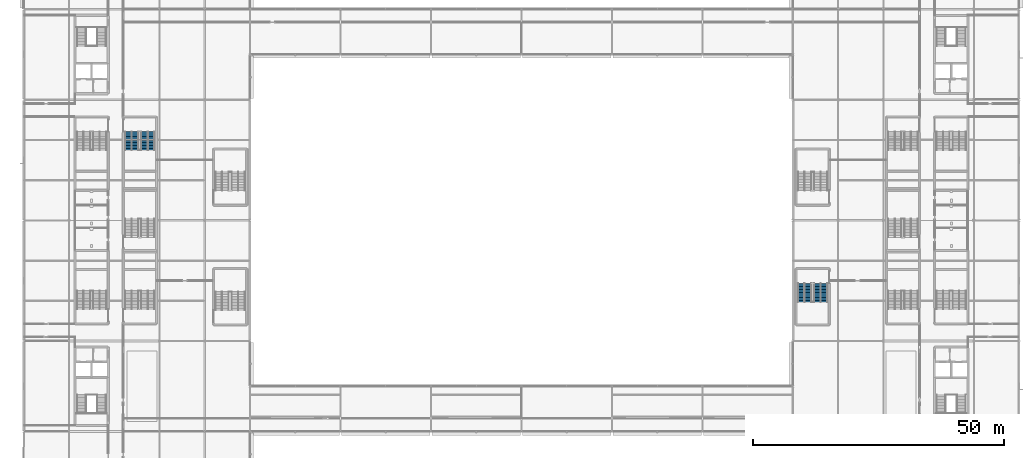
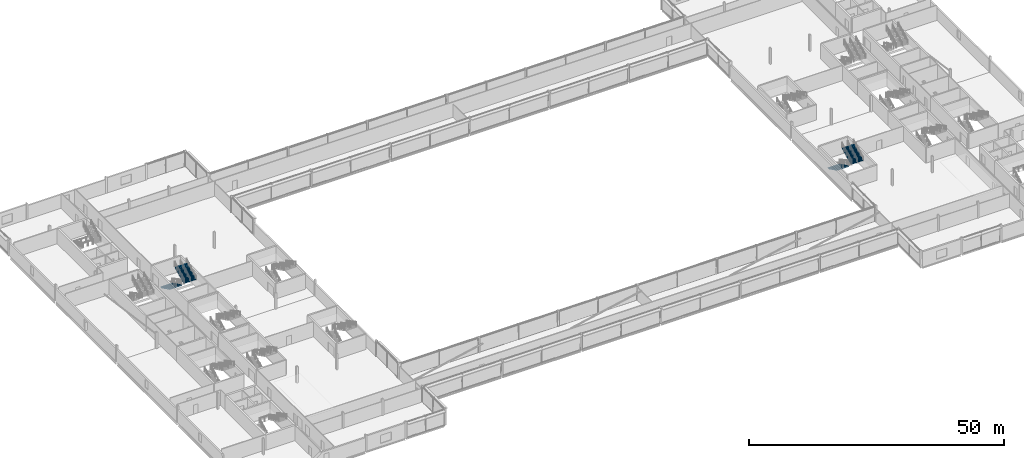
# One storey, part 85 of 98: 4 stair flights, 2 elements without a shape of their own.
"""IFC4 building model written with IfcOpenShell, lengths in metres."""

from ifc_helpers import new_model, si_unit, direction, frame, origin, place, context, subcontext, project, spatial, polygons, material, type_object, element, aggregate, save


model = new_model("IFC4")

# Units and contexts
model_context = context("Model", 3, precision=1e-05, world=origin(), true_north=direction((0.0, 1.0)))
body_context = subcontext(model_context, "Body", "Model", "MODEL_VIEW")
ifc_project = project(units=[si_unit("LENGTHUNIT", "METRE"), si_unit("AREAUNIT", "SQUARE_METRE"), si_unit("VOLUMEUNIT", "CUBIC_METRE"), si_unit("PLANEANGLEUNIT", "RADIAN"), si_unit("MASSUNIT", "GRAM", prefix="KILO")], contexts=[model_context])

# Site, building, storey
site_placement = place(None, origin())
site = spatial("IfcSite", under=ifc_project, at=site_placement, CompositionType="ELEMENT")
building_placement = place(site_placement, origin())
building = spatial("IfcBuilding", under=site, at=building_placement, Name="Kisiwana Market Hall", CompositionType="ELEMENT")
storey_placement = place(building_placement, frame((0.0, 0.0, 29.39990234375)))
storey = spatial("IfcBuildingStorey", under=building, at=storey_placement, Name="L06", CompositionType="ELEMENT", Elevation=29.39990234375)

# Stair, stair flights
ifc_material_1 = material(Name="Concrete C32/40", Category="concrete")
stair_type = type_object("IfcStairType", Name="ST-ESC-3900", PredefinedType="TWO_STRAIGHT_RUN_STAIR", material=ifc_material_1)
stair_1_placement = place(storey_placement, origin())
stair_1 = element("IfcStair", 1, at=stair_1_placement, inside=storey, type_object=stair_type, Name="Escape stair ST-W8-L06", PredefinedType="TWO_STRAIGHT_RUN_STAIR")
ifc_material_2 = material(Name="Concrete C32/40", Category="concrete")
stair_flight_type = type_object("IfcStairFlightType", Name="SF-ESC-3900", PredefinedType="STRAIGHT", material=ifc_material_2)
stair_flight_1_placement = place(storey_placement, frame((21.489990234375, 77.639892578125, 0.0), z_axis=(0.0, 0.0, 1.0), x_axis=(0.0, -1.0, 0.0)))
stair_flight_1 = element("IfcStairFlight", 2, at=stair_flight_1_placement, type_object=stair_flight_type, Name="ST-W8-L06 flight 1", NumberOfRisers=13, NumberOfTreads=12, PredefinedType="STRAIGHT", RiserHeight=0.15, TreadLength=0.305, context=body_context, shape_type="Tessellation", body=[
    polygons([(0.0, -1.380127, 0.0), (0.0, -0.690125, 0.0), (0.0, -0.000122, 0.0), (0.0, 0.68988, 0.0), (0.0, 1.379883, 0.0), (0.0, -1.380127, 0.149902), (0.0, -0.690125, 0.149902), (0.0, -0.000122, 0.149902), (0.0, 0.68988, 0.149902), (0.0, 1.379883, 0.149902), (0.304932, -1.380127, 0.149902), (0.304932, -0.690125, 0.149902), (0.304932, -0.000122, 0.149902), (0.304932, 0.68988, 0.149902), (0.304932, 1.379883, 0.149902), (0.304932, -1.380127, 0.300049), (0.304932, -0.690125, 0.300049), (0.304932, -0.000122, 0.300049), (0.304932, 0.68988, 0.300049), (0.304932, 1.379883, 0.300049), (0.610107, -1.380127, 0.300049), (0.610107, -0.690125, 0.300049), (0.610107, -0.000122, 0.300049), (0.610107, 0.68988, 0.300049), (0.610107, 1.379883, 0.300049), (0.610107, -1.380127, 0.449951), (0.610107, -0.690125, 0.449951), (0.610107, -0.000122, 0.449951), (0.610107, 0.68988, 0.449951), (0.610107, 1.379883, 0.449951), (0.915039, -1.380127, 0.449951), (0.915039, -0.690125, 0.449951), (0.915039, -0.000122, 0.449951), (0.915039, 0.68988, 0.449951), (0.915039, 1.379883, 0.449951), (0.915039, -1.380127, 0.600098), (0.915039, -0.690125, 0.600098), (0.915039, -0.000122, 0.600098), (0.915039, 0.68988, 0.600098), (0.915039, 1.379883, 0.600098), (1.219971, -1.380127, 0.600098), (1.219971, -0.690125, 0.600098), (1.219971, -0.000122, 0.600098), (1.219971, 0.68988, 0.600098), (1.219971, 1.379883, 0.600098), (1.219971, -1.380127, 0.75), (1.219971, -0.690125, 0.75), (1.219971, -0.000122, 0.75), (1.219971, 0.68988, 0.75), (1.219971, 1.379883, 0.75), (1.524902, -1.380127, 0.75), (1.524902, -0.690125, 0.75), (1.524902, -0.000122, 0.75), (1.524902, 0.68988, 0.75), (1.524902, 1.379883, 0.75), (1.524902, -1.380127, 0.899902), (1.524902, -0.690125, 0.899902), (1.524902, -0.000122, 0.899902), (1.524902, 0.68988, 0.899902), (1.524902, 1.379883, 0.899902), (1.830078, -1.380127, 0.899902), (1.830078, -0.690125, 0.899902), (1.830078, -0.000122, 0.899902), (1.830078, 0.68988, 0.899902), (1.830078, 1.379883, 0.899902), (1.830078, -1.380127, 1.050049), (1.830078, -0.690125, 1.050049), (1.830078, -0.000122, 1.050049), (1.830078, 0.68988, 1.050049), (1.830078, 1.379883, 1.050049), (2.13501, -1.380127, 1.050049), (2.13501, -0.690125, 1.050049), (2.13501, -0.000122, 1.050049), (2.13501, 0.68988, 1.050049), (2.13501, 1.379883, 1.050049), (2.13501, -1.380127, 1.199951), (2.13501, -0.690125, 1.199951), (2.13501, -0.000122, 1.199951), (2.13501, 0.68988, 1.199951), (2.13501, 1.379883, 1.199951), (2.439941, -1.380127, 1.199951), (2.439941, -0.690125, 1.199951), (2.439941, -0.000122, 1.199951), (2.439941, 0.68988, 1.199951), (2.439941, 1.379883, 1.199951), (2.439941, -1.380127, 1.350098), (2.439941, -0.690125, 1.350098), (2.439941, -0.000122, 1.350098), (2.439941, 0.68988, 1.350098), (2.439941, 1.379883, 1.350098), (2.745117, -1.380127, 1.350098), (2.745117, -0.690125, 1.350098), (2.745117, -0.000122, 1.350098), (2.745117, 0.68988, 1.350098), (2.745117, 1.379883, 1.350098), (2.745117, -1.380127, 1.5), (2.745117, -0.690125, 1.5), (2.745117, -0.000122, 1.5), (2.745117, 0.68988, 1.5), (2.745117, 1.379883, 1.5), (3.050049, -1.380127, 1.5), (3.050049, -0.690125, 1.5), (3.050049, -0.000122, 1.5), (3.050049, 0.68988, 1.5), (3.050049, 1.379883, 1.5), (3.050049, -1.380127, 1.649902), (3.050049, -0.690125, 1.649902), (3.050049, -0.000122, 1.649902), (3.050049, 0.68988, 1.649902), (3.050049, 1.379883, 1.649902), (3.35498, -1.380127, 1.649902), (3.35498, -0.690125, 1.649902), (3.35498, -0.000122, 1.649902), (3.35498, 0.68988, 1.649902), (3.35498, 1.379883, 1.649902), (3.35498, -1.380127, 1.800049), (3.35498, -0.690125, 1.800049), (3.35498, -0.000122, 1.800049), (3.35498, 0.68988, 1.800049), (3.35498, 1.379883, 1.800049), (3.659912, -1.380127, 1.800049), (3.659912, -0.690125, 1.800049), (3.659912, -0.000122, 1.800049), (3.659912, 0.68988, 1.800049), (3.659912, 1.379883, 1.800049), (3.659912, -1.380127, 1.599365), (3.659912, -0.690125, 1.599365), (3.659912, -0.000122, 1.599365), (3.659912, 0.68988, 1.599365), (3.659912, 1.379883, 1.599365), (0.407715, -1.380127, 0.0), (0.407715, -0.690125, 0.0), (0.407715, -0.000122, 0.0), (0.407715, 0.68988, 0.0), (0.407715, 1.379883, 0.0)], [[[1, 6, 7, 2]], [[2, 7, 8, 3]], [[3, 8, 9, 4]], [[4, 9, 10, 5]], [[6, 11, 12, 7]], [[7, 12, 13, 8]], [[8, 13, 14, 9]], [[9, 14, 15, 10]], [[11, 16, 17, 12]], [[12, 17, 18, 13]], [[13, 18, 19, 14]], [[14, 19, 20, 15]], [[16, 21, 22, 17]], [[17, 22, 23, 18]], [[18, 23, 24, 19]], [[19, 24, 25, 20]], [[21, 26, 27, 22]], [[22, 27, 28, 23]], [[23, 28, 29, 24]], [[24, 29, 30, 25]], [[26, 31, 32, 27]], [[27, 32, 33, 28]], [[28, 33, 34, 29]], [[29, 34, 35, 30]], [[31, 36, 37, 32]], [[32, 37, 38, 33]], [[33, 38, 39, 34]], [[34, 39, 40, 35]], [[36, 41, 42, 37]], [[37, 42, 43, 38]], [[38, 43, 44, 39]], [[39, 44, 45, 40]], [[41, 46, 47, 42]], [[42, 47, 48, 43]], [[43, 48, 49, 44]], [[44, 49, 50, 45]], [[46, 51, 52, 47]], [[47, 52, 53, 48]], [[48, 53, 54, 49]], [[49, 54, 55, 50]], [[51, 56, 57, 52]], [[52, 57, 58, 53]], [[53, 58, 59, 54]], [[54, 59, 60, 55]], [[56, 61, 62, 57]], [[57, 62, 63, 58]], [[58, 63, 64, 59]], [[59, 64, 65, 60]], [[61, 66, 67, 62]], [[62, 67, 68, 63]], [[63, 68, 69, 64]], [[64, 69, 70, 65]], [[66, 71, 72, 67]], [[67, 72, 73, 68]], [[68, 73, 74, 69]], [[69, 74, 75, 70]], [[71, 76, 77, 72]], [[72, 77, 78, 73]], [[73, 78, 79, 74]], [[74, 79, 80, 75]], [[76, 81, 82, 77]], [[77, 82, 83, 78]], [[78, 83, 84, 79]], [[79, 84, 85, 80]], [[81, 86, 87, 82]], [[82, 87, 88, 83]], [[83, 88, 89, 84]], [[84, 89, 90, 85]], [[86, 91, 92, 87]], [[87, 92, 93, 88]], [[88, 93, 94, 89]], [[89, 94, 95, 90]], [[91, 96, 97, 92]], [[92, 97, 98, 93]], [[93, 98, 99, 94]], [[94, 99, 100, 95]], [[96, 101, 102, 97]], [[97, 102, 103, 98]], [[98, 103, 104, 99]], [[99, 104, 105, 100]], [[101, 106, 107, 102]], [[102, 107, 108, 103]], [[103, 108, 109, 104]], [[104, 109, 110, 105]], [[106, 111, 112, 107]], [[107, 112, 113, 108]], [[108, 113, 114, 109]], [[109, 114, 115, 110]], [[111, 116, 117, 112]], [[112, 117, 118, 113]], [[113, 118, 119, 114]], [[114, 119, 120, 115]], [[116, 121, 122, 117]], [[117, 122, 123, 118]], [[118, 123, 124, 119]], [[119, 124, 125, 120]], [[121, 126, 127, 122]], [[122, 127, 128, 123]], [[123, 128, 129, 124]], [[124, 129, 130, 125]], [[126, 131, 132, 127]], [[127, 132, 133, 128]], [[128, 133, 134, 129]], [[129, 134, 135, 130]], [[131, 1, 2, 132]], [[132, 2, 3, 133]], [[133, 3, 4, 134]], [[134, 4, 5, 135]], [[131, 126, 121, 116, 111, 106, 101, 96, 91, 86, 81, 76, 71, 66, 61, 56, 51, 46, 41, 36, 31, 26, 21, 16, 11, 6, 1]], [[5, 10, 15, 20, 25, 30, 35, 40, 45, 50, 55, 60, 65, 70, 75, 80, 85, 90, 95, 100, 105, 110, 115, 120, 125, 130, 135]]], closed=True),
])
stair_flight_2_placement = place(storey_placement, frame((24.7099609375, 73.97998046875, 1.9501953125), z_axis=(0.0, 0.0, 1.0), x_axis=(0.0, 1.0, 0.0)))
stair_flight_2 = element("IfcStairFlight", 3, at=stair_flight_2_placement, type_object=stair_flight_type, Name="ST-W8-L06 flight 2", NumberOfRisers=13, NumberOfTreads=12, PredefinedType="STRAIGHT", RiserHeight=0.15, TreadLength=0.305, context=body_context, shape_type="Tessellation", body=[
    polygons([(0.0, -1.380127, 0.0), (0.0, -0.690125, 0.0), (0.0, -0.000122, 0.0), (0.0, 0.68988, 0.0), (0.0, 1.379883, 0.0), (0.0, -1.380127, 0.149902), (0.0, -0.690125, 0.149902), (0.0, -0.000122, 0.149902), (0.0, 0.68988, 0.149902), (0.0, 1.379883, 0.149902), (0.304932, -1.380127, 0.149902), (0.304932, -0.690125, 0.149902), (0.304932, -0.000122, 0.149902), (0.304932, 0.68988, 0.149902), (0.304932, 1.379883, 0.149902), (0.304932, -1.380127, 0.300049), (0.304932, -0.690125, 0.300049), (0.304932, -0.000122, 0.300049), (0.304932, 0.68988, 0.300049), (0.304932, 1.379883, 0.300049), (0.610107, -1.380127, 0.300049), (0.610107, -0.690125, 0.300049), (0.610107, -0.000122, 0.300049), (0.610107, 0.68988, 0.300049), (0.610107, 1.379883, 0.300049), (0.610107, -1.380127, 0.449951), (0.610107, -0.690125, 0.449951), (0.610107, -0.000122, 0.449951), (0.610107, 0.68988, 0.449951), (0.610107, 1.379883, 0.449951), (0.915039, -1.380127, 0.449951), (0.915039, -0.690125, 0.449951), (0.915039, -0.000122, 0.449951), (0.915039, 0.68988, 0.449951), (0.915039, 1.379883, 0.449951), (0.915039, -1.380127, 0.600098), (0.915039, -0.690125, 0.600098), (0.915039, -0.000122, 0.600098), (0.915039, 0.68988, 0.600098), (0.915039, 1.379883, 0.600098), (1.219971, -1.380127, 0.600098), (1.219971, -0.690125, 0.600098), (1.219971, -0.000122, 0.600098), (1.219971, 0.68988, 0.600098), (1.219971, 1.379883, 0.600098), (1.219971, -1.380127, 0.75), (1.219971, -0.690125, 0.75), (1.219971, -0.000122, 0.75), (1.219971, 0.68988, 0.75), (1.219971, 1.379883, 0.75), (1.524902, -1.380127, 0.75), (1.524902, -0.690125, 0.75), (1.524902, -0.000122, 0.75), (1.524902, 0.68988, 0.75), (1.524902, 1.379883, 0.75), (1.524902, -1.380127, 0.899902), (1.524902, -0.690125, 0.899902), (1.524902, -0.000122, 0.899902), (1.524902, 0.68988, 0.899902), (1.524902, 1.379883, 0.899902), (1.830078, -1.380127, 0.899902), (1.830078, -0.690125, 0.899902), (1.830078, -0.000122, 0.899902), (1.830078, 0.68988, 0.899902), (1.830078, 1.379883, 0.899902), (1.830078, -1.380127, 1.050049), (1.830078, -0.690125, 1.050049), (1.830078, -0.000122, 1.050049), (1.830078, 0.68988, 1.050049), (1.830078, 1.379883, 1.050049), (2.13501, -1.380127, 1.050049), (2.13501, -0.690125, 1.050049), (2.13501, -0.000122, 1.050049), (2.13501, 0.68988, 1.050049), (2.13501, 1.379883, 1.050049), (2.13501, -1.380127, 1.199951), (2.13501, -0.690125, 1.199951), (2.13501, -0.000122, 1.199951), (2.13501, 0.68988, 1.199951), (2.13501, 1.379883, 1.199951), (2.439941, -1.380127, 1.199951), (2.439941, -0.690125, 1.199951), (2.439941, -0.000122, 1.199951), (2.439941, 0.68988, 1.199951), (2.439941, 1.379883, 1.199951), (2.439941, -1.380127, 1.350098), (2.439941, -0.690125, 1.350098), (2.439941, -0.000122, 1.350098), (2.439941, 0.68988, 1.350098), (2.439941, 1.379883, 1.350098), (2.745117, -1.380127, 1.350098), (2.745117, -0.690125, 1.350098), (2.745117, -0.000122, 1.350098), (2.745117, 0.68988, 1.350098), (2.745117, 1.379883, 1.350098), (2.745117, -1.380127, 1.5), (2.745117, -0.690125, 1.5), (2.745117, -0.000122, 1.5), (2.745117, 0.68988, 1.5), (2.745117, 1.379883, 1.5), (3.050049, -1.380127, 1.5), (3.050049, -0.690125, 1.5), (3.050049, -0.000122, 1.5), (3.050049, 0.68988, 1.5), (3.050049, 1.379883, 1.5), (3.050049, -1.380127, 1.649902), (3.050049, -0.690125, 1.649902), (3.050049, -0.000122, 1.649902), (3.050049, 0.68988, 1.649902), (3.050049, 1.379883, 1.649902), (3.35498, -1.380127, 1.649902), (3.35498, -0.690125, 1.649902), (3.35498, -0.000122, 1.649902), (3.35498, 0.68988, 1.649902), (3.35498, 1.379883, 1.649902), (3.35498, -1.380127, 1.800049), (3.35498, -0.690125, 1.800049), (3.35498, -0.000122, 1.800049), (3.35498, 0.68988, 1.800049), (3.35498, 1.379883, 1.800049), (3.659912, -1.380127, 1.800049), (3.659912, -0.690125, 1.800049), (3.659912, -0.000122, 1.800049), (3.659912, 0.68988, 1.800049), (3.659912, 1.379883, 1.800049), (3.659912, -1.380127, 1.599365), (3.659912, -0.690125, 1.599365), (3.659912, -0.000122, 1.599365), (3.659912, 0.68988, 1.599365), (3.659912, 1.379883, 1.599365), (0.407715, -1.380127, 0.0), (0.407715, -0.690125, 0.0), (0.407715, -0.000122, 0.0), (0.407715, 0.68988, 0.0), (0.407715, 1.379883, 0.0)], [[[1, 6, 7, 2]], [[2, 7, 8, 3]], [[3, 8, 9, 4]], [[4, 9, 10, 5]], [[6, 11, 12, 7]], [[7, 12, 13, 8]], [[8, 13, 14, 9]], [[9, 14, 15, 10]], [[11, 16, 17, 12]], [[12, 17, 18, 13]], [[13, 18, 19, 14]], [[14, 19, 20, 15]], [[16, 21, 22, 17]], [[17, 22, 23, 18]], [[18, 23, 24, 19]], [[19, 24, 25, 20]], [[21, 26, 27, 22]], [[22, 27, 28, 23]], [[23, 28, 29, 24]], [[24, 29, 30, 25]], [[26, 31, 32, 27]], [[27, 32, 33, 28]], [[28, 33, 34, 29]], [[29, 34, 35, 30]], [[31, 36, 37, 32]], [[32, 37, 38, 33]], [[33, 38, 39, 34]], [[34, 39, 40, 35]], [[36, 41, 42, 37]], [[37, 42, 43, 38]], [[38, 43, 44, 39]], [[39, 44, 45, 40]], [[41, 46, 47, 42]], [[42, 47, 48, 43]], [[43, 48, 49, 44]], [[44, 49, 50, 45]], [[46, 51, 52, 47]], [[47, 52, 53, 48]], [[48, 53, 54, 49]], [[49, 54, 55, 50]], [[51, 56, 57, 52]], [[52, 57, 58, 53]], [[53, 58, 59, 54]], [[54, 59, 60, 55]], [[56, 61, 62, 57]], [[57, 62, 63, 58]], [[58, 63, 64, 59]], [[59, 64, 65, 60]], [[61, 66, 67, 62]], [[62, 67, 68, 63]], [[63, 68, 69, 64]], [[64, 69, 70, 65]], [[66, 71, 72, 67]], [[67, 72, 73, 68]], [[68, 73, 74, 69]], [[69, 74, 75, 70]], [[71, 76, 77, 72]], [[72, 77, 78, 73]], [[73, 78, 79, 74]], [[74, 79, 80, 75]], [[76, 81, 82, 77]], [[77, 82, 83, 78]], [[78, 83, 84, 79]], [[79, 84, 85, 80]], [[81, 86, 87, 82]], [[82, 87, 88, 83]], [[83, 88, 89, 84]], [[84, 89, 90, 85]], [[86, 91, 92, 87]], [[87, 92, 93, 88]], [[88, 93, 94, 89]], [[89, 94, 95, 90]], [[91, 96, 97, 92]], [[92, 97, 98, 93]], [[93, 98, 99, 94]], [[94, 99, 100, 95]], [[96, 101, 102, 97]], [[97, 102, 103, 98]], [[98, 103, 104, 99]], [[99, 104, 105, 100]], [[101, 106, 107, 102]], [[102, 107, 108, 103]], [[103, 108, 109, 104]], [[104, 109, 110, 105]], [[106, 111, 112, 107]], [[107, 112, 113, 108]], [[108, 113, 114, 109]], [[109, 114, 115, 110]], [[111, 116, 117, 112]], [[112, 117, 118, 113]], [[113, 118, 119, 114]], [[114, 119, 120, 115]], [[116, 121, 122, 117]], [[117, 122, 123, 118]], [[118, 123, 124, 119]], [[119, 124, 125, 120]], [[121, 126, 127, 122]], [[122, 127, 128, 123]], [[123, 128, 129, 124]], [[124, 129, 130, 125]], [[126, 131, 132, 127]], [[127, 132, 133, 128]], [[128, 133, 134, 129]], [[129, 134, 135, 130]], [[131, 1, 2, 132]], [[132, 2, 3, 133]], [[133, 3, 4, 134]], [[134, 4, 5, 135]], [[131, 126, 121, 116, 111, 106, 101, 96, 91, 86, 81, 76, 71, 66, 61, 56, 51, 46, 41, 36, 31, 26, 21, 16, 11, 6, 1]], [[5, 10, 15, 20, 25, 30, 35, 40, 45, 50, 55, 60, 65, 70, 75, 80, 85, 90, 95, 100, 105, 110, 115, 120, 125, 130, 135]]], closed=True),
])
aggregate(stair_1, [stair_flight_1, stair_flight_2])

stair_2_placement = place(storey_placement, origin())
stair_2 = element("IfcStair", 4, at=stair_2_placement, inside=storey, type_object=stair_type, Name="Escape stair ST-E9-L06", PredefinedType="TWO_STRAIGHT_RUN_STAIR")
stair_flight_3_placement = place(storey_placement, frame((155.320068359375, 47.43994140625, 0.0), z_axis=(0.0, 0.0, 1.0), x_axis=(0.0, -1.0, 0.0)))
stair_flight_3 = element("IfcStairFlight", 5, at=stair_flight_3_placement, type_object=stair_flight_type, Name="ST-E9-L06 flight 1", NumberOfRisers=13, NumberOfTreads=12, PredefinedType="STRAIGHT", RiserHeight=0.15, TreadLength=0.305, context=body_context, shape_type="Tessellation", body=[
    polygons([(0.0, -1.380127, 0.0), (0.0, -0.690125, 0.0), (0.0, -0.000122, 0.0), (0.0, 0.68988, 0.0), (0.0, 1.379883, 0.0), (0.0, -1.380127, 0.149902), (0.0, -0.690125, 0.149902), (0.0, -0.000122, 0.149902), (0.0, 0.68988, 0.149902), (0.0, 1.379883, 0.149902), (0.304932, -1.380127, 0.149902), (0.304932, -0.690125, 0.149902), (0.304932, -0.000122, 0.149902), (0.304932, 0.68988, 0.149902), (0.304932, 1.379883, 0.149902), (0.304932, -1.380127, 0.300049), (0.304932, -0.690125, 0.300049), (0.304932, -0.000122, 0.300049), (0.304932, 0.68988, 0.300049), (0.304932, 1.379883, 0.300049), (0.610107, -1.380127, 0.300049), (0.610107, -0.690125, 0.300049), (0.610107, -0.000122, 0.300049), (0.610107, 0.68988, 0.300049), (0.610107, 1.379883, 0.300049), (0.610107, -1.380127, 0.449951), (0.610107, -0.690125, 0.449951), (0.610107, -0.000122, 0.449951), (0.610107, 0.68988, 0.449951), (0.610107, 1.379883, 0.449951), (0.915039, -1.380127, 0.449951), (0.915039, -0.690125, 0.449951), (0.915039, -0.000122, 0.449951), (0.915039, 0.68988, 0.449951), (0.915039, 1.379883, 0.449951), (0.915039, -1.380127, 0.600098), (0.915039, -0.690125, 0.600098), (0.915039, -0.000122, 0.600098), (0.915039, 0.68988, 0.600098), (0.915039, 1.379883, 0.600098), (1.219971, -1.380127, 0.600098), (1.219971, -0.690125, 0.600098), (1.219971, -0.000122, 0.600098), (1.219971, 0.68988, 0.600098), (1.219971, 1.379883, 0.600098), (1.219971, -1.380127, 0.75), (1.219971, -0.690125, 0.75), (1.219971, -0.000122, 0.75), (1.219971, 0.68988, 0.75), (1.219971, 1.379883, 0.75), (1.524902, -1.380127, 0.75), (1.524902, -0.690125, 0.75), (1.524902, -0.000122, 0.75), (1.524902, 0.68988, 0.75), (1.524902, 1.379883, 0.75), (1.524902, -1.380127, 0.899902), (1.524902, -0.690125, 0.899902), (1.524902, -0.000122, 0.899902), (1.524902, 0.68988, 0.899902), (1.524902, 1.379883, 0.899902), (1.830078, -1.380127, 0.899902), (1.830078, -0.690125, 0.899902), (1.830078, -0.000122, 0.899902), (1.830078, 0.68988, 0.899902), (1.830078, 1.379883, 0.899902), (1.830078, -1.380127, 1.050049), (1.830078, -0.690125, 1.050049), (1.830078, -0.000122, 1.050049), (1.830078, 0.68988, 1.050049), (1.830078, 1.379883, 1.050049), (2.13501, -1.380127, 1.050049), (2.13501, -0.690125, 1.050049), (2.13501, -0.000122, 1.050049), (2.13501, 0.68988, 1.050049), (2.13501, 1.379883, 1.050049), (2.13501, -1.380127, 1.199951), (2.13501, -0.690125, 1.199951), (2.13501, -0.000122, 1.199951), (2.13501, 0.68988, 1.199951), (2.13501, 1.379883, 1.199951), (2.439941, -1.380127, 1.199951), (2.439941, -0.690125, 1.199951), (2.439941, -0.000122, 1.199951), (2.439941, 0.68988, 1.199951), (2.439941, 1.379883, 1.199951), (2.439941, -1.380127, 1.350098), (2.439941, -0.690125, 1.350098), (2.439941, -0.000122, 1.350098), (2.439941, 0.68988, 1.350098), (2.439941, 1.379883, 1.350098), (2.745117, -1.380127, 1.350098), (2.745117, -0.690125, 1.350098), (2.745117, -0.000122, 1.350098), (2.745117, 0.68988, 1.350098), (2.745117, 1.379883, 1.350098), (2.745117, -1.380127, 1.5), (2.745117, -0.690125, 1.5), (2.745117, -0.000122, 1.5), (2.745117, 0.68988, 1.5), (2.745117, 1.379883, 1.5), (3.050049, -1.380127, 1.5), (3.050049, -0.690125, 1.5), (3.050049, -0.000122, 1.5), (3.050049, 0.68988, 1.5), (3.050049, 1.379883, 1.5), (3.050049, -1.380127, 1.649902), (3.050049, -0.690125, 1.649902), (3.050049, -0.000122, 1.649902), (3.050049, 0.68988, 1.649902), (3.050049, 1.379883, 1.649902), (3.35498, -1.380127, 1.649902), (3.35498, -0.690125, 1.649902), (3.35498, -0.000122, 1.649902), (3.35498, 0.68988, 1.649902), (3.35498, 1.379883, 1.649902), (3.35498, -1.380127, 1.800049), (3.35498, -0.690125, 1.800049), (3.35498, -0.000122, 1.800049), (3.35498, 0.68988, 1.800049), (3.35498, 1.379883, 1.800049), (3.659912, -1.380127, 1.800049), (3.659912, -0.690125, 1.800049), (3.659912, -0.000122, 1.800049), (3.659912, 0.68988, 1.800049), (3.659912, 1.379883, 1.800049), (3.659912, -1.380127, 1.599365), (3.659912, -0.690125, 1.599365), (3.659912, -0.000122, 1.599365), (3.659912, 0.68988, 1.599365), (3.659912, 1.379883, 1.599365), (0.407715, -1.380127, 0.0), (0.407715, -0.690125, 0.0), (0.407715, -0.000122, 0.0), (0.407715, 0.68988, 0.0), (0.407715, 1.379883, 0.0)], [[[1, 6, 7, 2]], [[2, 7, 8, 3]], [[3, 8, 9, 4]], [[4, 9, 10, 5]], [[6, 11, 12, 7]], [[7, 12, 13, 8]], [[8, 13, 14, 9]], [[9, 14, 15, 10]], [[11, 16, 17, 12]], [[12, 17, 18, 13]], [[13, 18, 19, 14]], [[14, 19, 20, 15]], [[16, 21, 22, 17]], [[17, 22, 23, 18]], [[18, 23, 24, 19]], [[19, 24, 25, 20]], [[21, 26, 27, 22]], [[22, 27, 28, 23]], [[23, 28, 29, 24]], [[24, 29, 30, 25]], [[26, 31, 32, 27]], [[27, 32, 33, 28]], [[28, 33, 34, 29]], [[29, 34, 35, 30]], [[31, 36, 37, 32]], [[32, 37, 38, 33]], [[33, 38, 39, 34]], [[34, 39, 40, 35]], [[36, 41, 42, 37]], [[37, 42, 43, 38]], [[38, 43, 44, 39]], [[39, 44, 45, 40]], [[41, 46, 47, 42]], [[42, 47, 48, 43]], [[43, 48, 49, 44]], [[44, 49, 50, 45]], [[46, 51, 52, 47]], [[47, 52, 53, 48]], [[48, 53, 54, 49]], [[49, 54, 55, 50]], [[51, 56, 57, 52]], [[52, 57, 58, 53]], [[53, 58, 59, 54]], [[54, 59, 60, 55]], [[56, 61, 62, 57]], [[57, 62, 63, 58]], [[58, 63, 64, 59]], [[59, 64, 65, 60]], [[61, 66, 67, 62]], [[62, 67, 68, 63]], [[63, 68, 69, 64]], [[64, 69, 70, 65]], [[66, 71, 72, 67]], [[67, 72, 73, 68]], [[68, 73, 74, 69]], [[69, 74, 75, 70]], [[71, 76, 77, 72]], [[72, 77, 78, 73]], [[73, 78, 79, 74]], [[74, 79, 80, 75]], [[76, 81, 82, 77]], [[77, 82, 83, 78]], [[78, 83, 84, 79]], [[79, 84, 85, 80]], [[81, 86, 87, 82]], [[82, 87, 88, 83]], [[83, 88, 89, 84]], [[84, 89, 90, 85]], [[86, 91, 92, 87]], [[87, 92, 93, 88]], [[88, 93, 94, 89]], [[89, 94, 95, 90]], [[91, 96, 97, 92]], [[92, 97, 98, 93]], [[93, 98, 99, 94]], [[94, 99, 100, 95]], [[96, 101, 102, 97]], [[97, 102, 103, 98]], [[98, 103, 104, 99]], [[99, 104, 105, 100]], [[101, 106, 107, 102]], [[102, 107, 108, 103]], [[103, 108, 109, 104]], [[104, 109, 110, 105]], [[106, 111, 112, 107]], [[107, 112, 113, 108]], [[108, 113, 114, 109]], [[109, 114, 115, 110]], [[111, 116, 117, 112]], [[112, 117, 118, 113]], [[113, 118, 119, 114]], [[114, 119, 120, 115]], [[116, 121, 122, 117]], [[117, 122, 123, 118]], [[118, 123, 124, 119]], [[119, 124, 125, 120]], [[121, 126, 127, 122]], [[122, 127, 128, 123]], [[123, 128, 129, 124]], [[124, 129, 130, 125]], [[126, 131, 132, 127]], [[127, 132, 133, 128]], [[128, 133, 134, 129]], [[129, 134, 135, 130]], [[131, 1, 2, 132]], [[132, 2, 3, 133]], [[133, 3, 4, 134]], [[134, 4, 5, 135]], [[131, 126, 121, 116, 111, 106, 101, 96, 91, 86, 81, 76, 71, 66, 61, 56, 51, 46, 41, 36, 31, 26, 21, 16, 11, 6, 1]], [[5, 10, 15, 20, 25, 30, 35, 40, 45, 50, 55, 60, 65, 70, 75, 80, 85, 90, 95, 100, 105, 110, 115, 120, 125, 130, 135]]], closed=True),
])
stair_flight_4_placement = place(storey_placement, frame((158.5400390625, 43.780029296875, 1.9501953125), z_axis=(0.0, 0.0, 1.0), x_axis=(0.0, 1.0, 0.0)))
stair_flight_4 = element("IfcStairFlight", 6, at=stair_flight_4_placement, type_object=stair_flight_type, Name="ST-E9-L06 flight 2", NumberOfRisers=13, NumberOfTreads=12, PredefinedType="STRAIGHT", RiserHeight=0.15, TreadLength=0.305, context=body_context, shape_type="Tessellation", body=[
    polygons([(0.0, -1.380127, 0.0), (0.0, -0.690125, 0.0), (0.0, -0.000122, 0.0), (0.0, 0.68988, 0.0), (0.0, 1.379883, 0.0), (0.0, -1.380127, 0.149902), (0.0, -0.690125, 0.149902), (0.0, -0.000122, 0.149902), (0.0, 0.68988, 0.149902), (0.0, 1.379883, 0.149902), (0.304932, -1.380127, 0.149902), (0.304932, -0.690125, 0.149902), (0.304932, -0.000122, 0.149902), (0.304932, 0.68988, 0.149902), (0.304932, 1.379883, 0.149902), (0.304932, -1.380127, 0.300049), (0.304932, -0.690125, 0.300049), (0.304932, -0.000122, 0.300049), (0.304932, 0.68988, 0.300049), (0.304932, 1.379883, 0.300049), (0.610107, -1.380127, 0.300049), (0.610107, -0.690125, 0.300049), (0.610107, -0.000122, 0.300049), (0.610107, 0.68988, 0.300049), (0.610107, 1.379883, 0.300049), (0.610107, -1.380127, 0.449951), (0.610107, -0.690125, 0.449951), (0.610107, -0.000122, 0.449951), (0.610107, 0.68988, 0.449951), (0.610107, 1.379883, 0.449951), (0.915039, -1.380127, 0.449951), (0.915039, -0.690125, 0.449951), (0.915039, -0.000122, 0.449951), (0.915039, 0.68988, 0.449951), (0.915039, 1.379883, 0.449951), (0.915039, -1.380127, 0.600098), (0.915039, -0.690125, 0.600098), (0.915039, -0.000122, 0.600098), (0.915039, 0.68988, 0.600098), (0.915039, 1.379883, 0.600098), (1.219971, -1.380127, 0.600098), (1.219971, -0.690125, 0.600098), (1.219971, -0.000122, 0.600098), (1.219971, 0.68988, 0.600098), (1.219971, 1.379883, 0.600098), (1.219971, -1.380127, 0.75), (1.219971, -0.690125, 0.75), (1.219971, -0.000122, 0.75), (1.219971, 0.68988, 0.75), (1.219971, 1.379883, 0.75), (1.524902, -1.380127, 0.75), (1.524902, -0.690125, 0.75), (1.524902, -0.000122, 0.75), (1.524902, 0.68988, 0.75), (1.524902, 1.379883, 0.75), (1.524902, -1.380127, 0.899902), (1.524902, -0.690125, 0.899902), (1.524902, -0.000122, 0.899902), (1.524902, 0.68988, 0.899902), (1.524902, 1.379883, 0.899902), (1.830078, -1.380127, 0.899902), (1.830078, -0.690125, 0.899902), (1.830078, -0.000122, 0.899902), (1.830078, 0.68988, 0.899902), (1.830078, 1.379883, 0.899902), (1.830078, -1.380127, 1.050049), (1.830078, -0.690125, 1.050049), (1.830078, -0.000122, 1.050049), (1.830078, 0.68988, 1.050049), (1.830078, 1.379883, 1.050049), (2.13501, -1.380127, 1.050049), (2.13501, -0.690125, 1.050049), (2.13501, -0.000122, 1.050049), (2.13501, 0.68988, 1.050049), (2.13501, 1.379883, 1.050049), (2.13501, -1.380127, 1.199951), (2.13501, -0.690125, 1.199951), (2.13501, -0.000122, 1.199951), (2.13501, 0.68988, 1.199951), (2.13501, 1.379883, 1.199951), (2.439941, -1.380127, 1.199951), (2.439941, -0.690125, 1.199951), (2.439941, -0.000122, 1.199951), (2.439941, 0.68988, 1.199951), (2.439941, 1.379883, 1.199951), (2.439941, -1.380127, 1.350098), (2.439941, -0.690125, 1.350098), (2.439941, -0.000122, 1.350098), (2.439941, 0.68988, 1.350098), (2.439941, 1.379883, 1.350098), (2.745117, -1.380127, 1.350098), (2.745117, -0.690125, 1.350098), (2.745117, -0.000122, 1.350098), (2.745117, 0.68988, 1.350098), (2.745117, 1.379883, 1.350098), (2.745117, -1.380127, 1.5), (2.745117, -0.690125, 1.5), (2.745117, -0.000122, 1.5), (2.745117, 0.68988, 1.5), (2.745117, 1.379883, 1.5), (3.050049, -1.380127, 1.5), (3.050049, -0.690125, 1.5), (3.050049, -0.000122, 1.5), (3.050049, 0.68988, 1.5), (3.050049, 1.379883, 1.5), (3.050049, -1.380127, 1.649902), (3.050049, -0.690125, 1.649902), (3.050049, -0.000122, 1.649902), (3.050049, 0.68988, 1.649902), (3.050049, 1.379883, 1.649902), (3.35498, -1.380127, 1.649902), (3.35498, -0.690125, 1.649902), (3.35498, -0.000122, 1.649902), (3.35498, 0.68988, 1.649902), (3.35498, 1.379883, 1.649902), (3.35498, -1.380127, 1.800049), (3.35498, -0.690125, 1.800049), (3.35498, -0.000122, 1.800049), (3.35498, 0.68988, 1.800049), (3.35498, 1.379883, 1.800049), (3.659912, -1.380127, 1.800049), (3.659912, -0.690125, 1.800049), (3.659912, -0.000122, 1.800049), (3.659912, 0.68988, 1.800049), (3.659912, 1.379883, 1.800049), (3.659912, -1.380127, 1.599365), (3.659912, -0.690125, 1.599365), (3.659912, -0.000122, 1.599365), (3.659912, 0.68988, 1.599365), (3.659912, 1.379883, 1.599365), (0.407715, -1.380127, 0.0), (0.407715, -0.690125, 0.0), (0.407715, -0.000122, 0.0), (0.407715, 0.68988, 0.0), (0.407715, 1.379883, 0.0)], [[[1, 6, 7, 2]], [[2, 7, 8, 3]], [[3, 8, 9, 4]], [[4, 9, 10, 5]], [[6, 11, 12, 7]], [[7, 12, 13, 8]], [[8, 13, 14, 9]], [[9, 14, 15, 10]], [[11, 16, 17, 12]], [[12, 17, 18, 13]], [[13, 18, 19, 14]], [[14, 19, 20, 15]], [[16, 21, 22, 17]], [[17, 22, 23, 18]], [[18, 23, 24, 19]], [[19, 24, 25, 20]], [[21, 26, 27, 22]], [[22, 27, 28, 23]], [[23, 28, 29, 24]], [[24, 29, 30, 25]], [[26, 31, 32, 27]], [[27, 32, 33, 28]], [[28, 33, 34, 29]], [[29, 34, 35, 30]], [[31, 36, 37, 32]], [[32, 37, 38, 33]], [[33, 38, 39, 34]], [[34, 39, 40, 35]], [[36, 41, 42, 37]], [[37, 42, 43, 38]], [[38, 43, 44, 39]], [[39, 44, 45, 40]], [[41, 46, 47, 42]], [[42, 47, 48, 43]], [[43, 48, 49, 44]], [[44, 49, 50, 45]], [[46, 51, 52, 47]], [[47, 52, 53, 48]], [[48, 53, 54, 49]], [[49, 54, 55, 50]], [[51, 56, 57, 52]], [[52, 57, 58, 53]], [[53, 58, 59, 54]], [[54, 59, 60, 55]], [[56, 61, 62, 57]], [[57, 62, 63, 58]], [[58, 63, 64, 59]], [[59, 64, 65, 60]], [[61, 66, 67, 62]], [[62, 67, 68, 63]], [[63, 68, 69, 64]], [[64, 69, 70, 65]], [[66, 71, 72, 67]], [[67, 72, 73, 68]], [[68, 73, 74, 69]], [[69, 74, 75, 70]], [[71, 76, 77, 72]], [[72, 77, 78, 73]], [[73, 78, 79, 74]], [[74, 79, 80, 75]], [[76, 81, 82, 77]], [[77, 82, 83, 78]], [[78, 83, 84, 79]], [[79, 84, 85, 80]], [[81, 86, 87, 82]], [[82, 87, 88, 83]], [[83, 88, 89, 84]], [[84, 89, 90, 85]], [[86, 91, 92, 87]], [[87, 92, 93, 88]], [[88, 93, 94, 89]], [[89, 94, 95, 90]], [[91, 96, 97, 92]], [[92, 97, 98, 93]], [[93, 98, 99, 94]], [[94, 99, 100, 95]], [[96, 101, 102, 97]], [[97, 102, 103, 98]], [[98, 103, 104, 99]], [[99, 104, 105, 100]], [[101, 106, 107, 102]], [[102, 107, 108, 103]], [[103, 108, 109, 104]], [[104, 109, 110, 105]], [[106, 111, 112, 107]], [[107, 112, 113, 108]], [[108, 113, 114, 109]], [[109, 114, 115, 110]], [[111, 116, 117, 112]], [[112, 117, 118, 113]], [[113, 118, 119, 114]], [[114, 119, 120, 115]], [[116, 121, 122, 117]], [[117, 122, 123, 118]], [[118, 123, 124, 119]], [[119, 124, 125, 120]], [[121, 126, 127, 122]], [[122, 127, 128, 123]], [[123, 128, 129, 124]], [[124, 129, 130, 125]], [[126, 131, 132, 127]], [[127, 132, 133, 128]], [[128, 133, 134, 129]], [[129, 134, 135, 130]], [[131, 1, 2, 132]], [[132, 2, 3, 133]], [[133, 3, 4, 134]], [[134, 4, 5, 135]], [[131, 126, 121, 116, 111, 106, 101, 96, 91, 86, 81, 76, 71, 66, 61, 56, 51, 46, 41, 36, 31, 26, 21, 16, 11, 6, 1]], [[5, 10, 15, 20, 25, 30, 35, 40, 45, 50, 55, 60, 65, 70, 75, 80, 85, 90, 95, 100, 105, 110, 115, 120, 125, 130, 135]]], closed=True),
])
aggregate(stair_2, [stair_flight_3, stair_flight_4])

save(model, "model.ifc")
